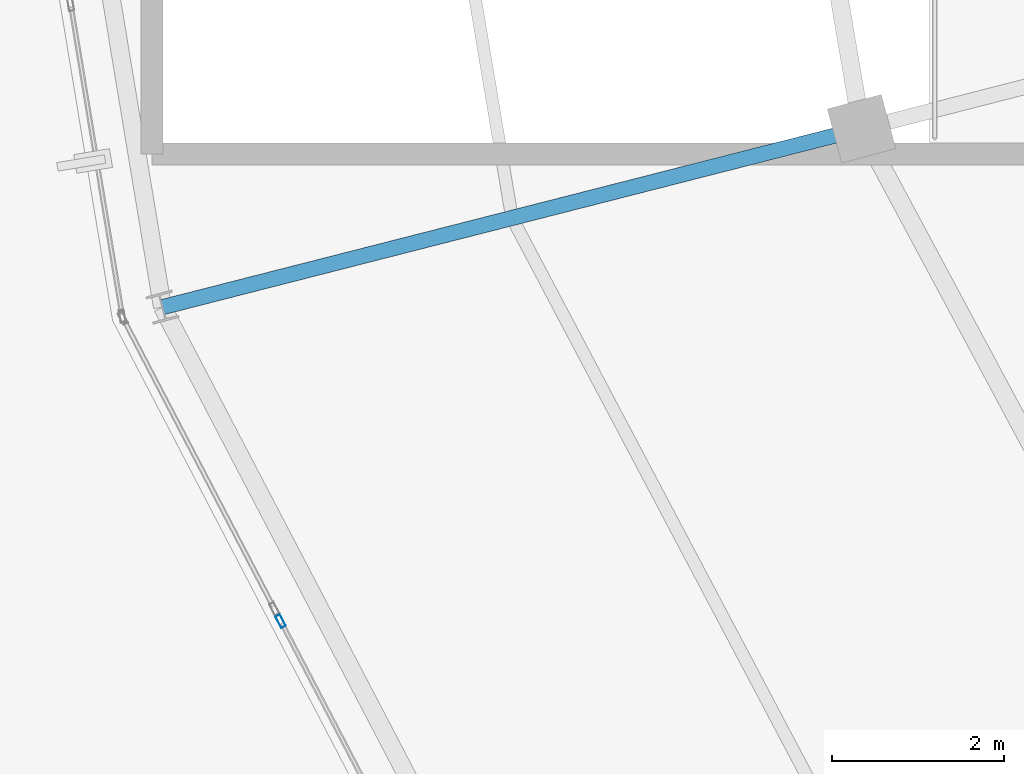
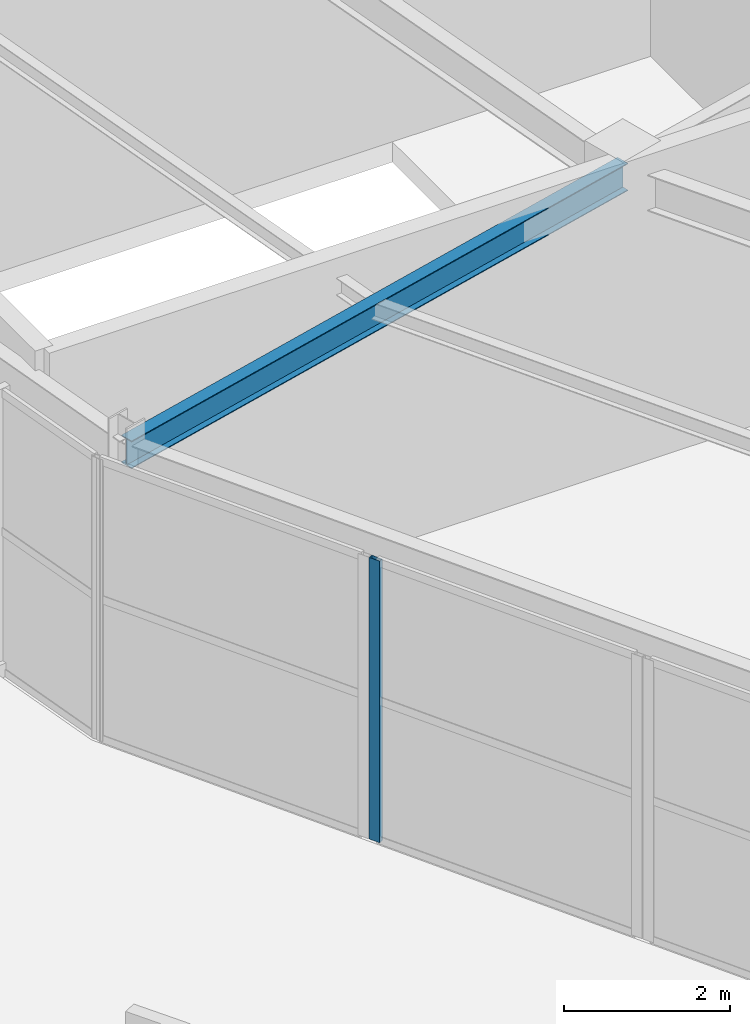
# One storey, part 27 of 126: 1 beam, 1 member, 1 element without a shape of its own.
"""IFC4 building model written with IfcOpenShell, lengths in metres."""

from ifc_helpers import new_model, si_unit, direction, frame, origin, origin_2d, place, context, subcontext, project, spatial, hollow_rectangle, i_section, extrude, material, layer, layer_set, material_profile, profile_set, type_object, element, aggregate, save


model = new_model("IFC4")

# Units and contexts
model_context = context("Model", 3, precision=1e-05, world=origin(), true_north=direction((0.0, 1.0)))
body_context = subcontext(model_context, "Body", "Model", "MODEL_VIEW")
ifc_project = project(units=[si_unit("LENGTHUNIT", "METRE"), si_unit("AREAUNIT", "SQUARE_METRE"), si_unit("VOLUMEUNIT", "CUBIC_METRE"), si_unit("PLANEANGLEUNIT", "RADIAN"), si_unit("MASSUNIT", "GRAM", prefix="KILO")], contexts=[model_context])

# Site, building, storey
site_placement = place(None, origin())
site = spatial("IfcSite", under=ifc_project, at=site_placement, CompositionType="ELEMENT")
building_placement = place(site_placement, origin())
building = spatial("IfcBuilding", under=site, at=building_placement, Name="Kalgoora Escarpment Arena", CompositionType="ELEMENT")
storey_placement = place(building_placement, frame((0.0, 0.0, 18.89990234375)))
storey = spatial("IfcBuildingStorey", under=building, at=storey_placement, Name="L04", CompositionType="ELEMENT", Elevation=18.89990234375)

# Beam
ifc_material_1 = material(Name="Structural steel AS/NZS 3679 (300 MPa)", Category="steel")
ifc_material_profile_1 = material_profile(ifc_material_1, i_section(OverallWidth=0.177978515625, OverallDepth=0.406005859375, WebThickness=0.0078125, FlangeThickness=0.0126953125, at=origin_2d()))
ifc_profile_set_1 = profile_set([ifc_material_profile_1], Name="Structural steel AS/NZS 3679 (300 MPa)")
beam_type = type_object("IfcBeamType", Name="BM-GIRDER-410UB59.7", PredefinedType="USERDEFINED", material=ifc_profile_set_1)
beam_placement = place(storey_placement, frame((31.160400390625, 51.31787109375, 4.007080078125), z_axis=(-0.968949372412, -0.247259203473, 0.0), x_axis=(0.247259203473, -0.968949372412, 0.0)))
element("IfcBeam", 1, at=beam_placement, inside=storey, type_object=beam_type, Name="L04 Radial concourse girder 410UB59.7", ObjectType="GIRDER", PredefinedType="USERDEFINED", context=body_context, shape_type="SweptSolid", body=[
    extrude(i_section(OverallWidth=0.177978515625, OverallDepth=0.406005859375, WebThickness=0.0078125, FlangeThickness=0.0126953125, at=origin_2d()), origin(), (0.0, 0.0, 1.0), 8.3740234375),
])

# Curtain wall, member
ifc_material_2 = material(Name=" Champagne anodised aluminium & double-glazed low-E", Category="aluminium")
ifc_layer = layer(ifc_material_2, 0.162109375)
ifc_layer_set = layer_set([ifc_layer], Name="CW-UNIT-13")
curtain_wall_type = type_object("IfcCurtainWallType", Name="CW-UNIT-13", PredefinedType="NOTDEFINED", material=ifc_layer_set)
curtain_wall_placement = place(storey_placement, origin())
curtain_wall = element("IfcCurtainWall", 2, at=curtain_wall_placement, inside=storey, type_object=curtain_wall_type, Name="L04 unitised facade curtain wall 132", PredefinedType="NOTDEFINED")
ifc_material_3 = material(Name="Anodised aluminium 6063-T6", Category="aluminium")
ifc_material_profile_2 = material_profile(ifc_material_3, hollow_rectangle(XDim=0.06005859375, YDim=0.14990234375, WallThickness=0.00341796875, at=origin_2d()))
ifc_profile_set_2 = profile_set([ifc_material_profile_2], Name="Anodised aluminium 6063-T6")
member_type = type_object("IfcMemberType", Name="MEM-CW-MULL-150", PredefinedType="MULLION", material=ifc_profile_set_2)
member_placement = place(storey_placement, frame((24.41845703125, 45.603515625, 0.02001953125), z_axis=(0.0, 0.0, 1.0), x_axis=(-0.886984539651, -0.46179911912, 0.0)))
member = element("IfcMember", 3, at=member_placement, type_object=member_type, Name="CW-13 mullion 2", PredefinedType="MULLION", context=body_context, shape_type="SweptSolid", body=[
    extrude(hollow_rectangle(XDim=0.06005859375, YDim=0.14990234375, WallThickness=0.00341796875, at=origin_2d()), origin(), (0.0, 0.0, 1.0), 4.150146484375),
])
aggregate(curtain_wall, [member])

save(model, "model.ifc")
